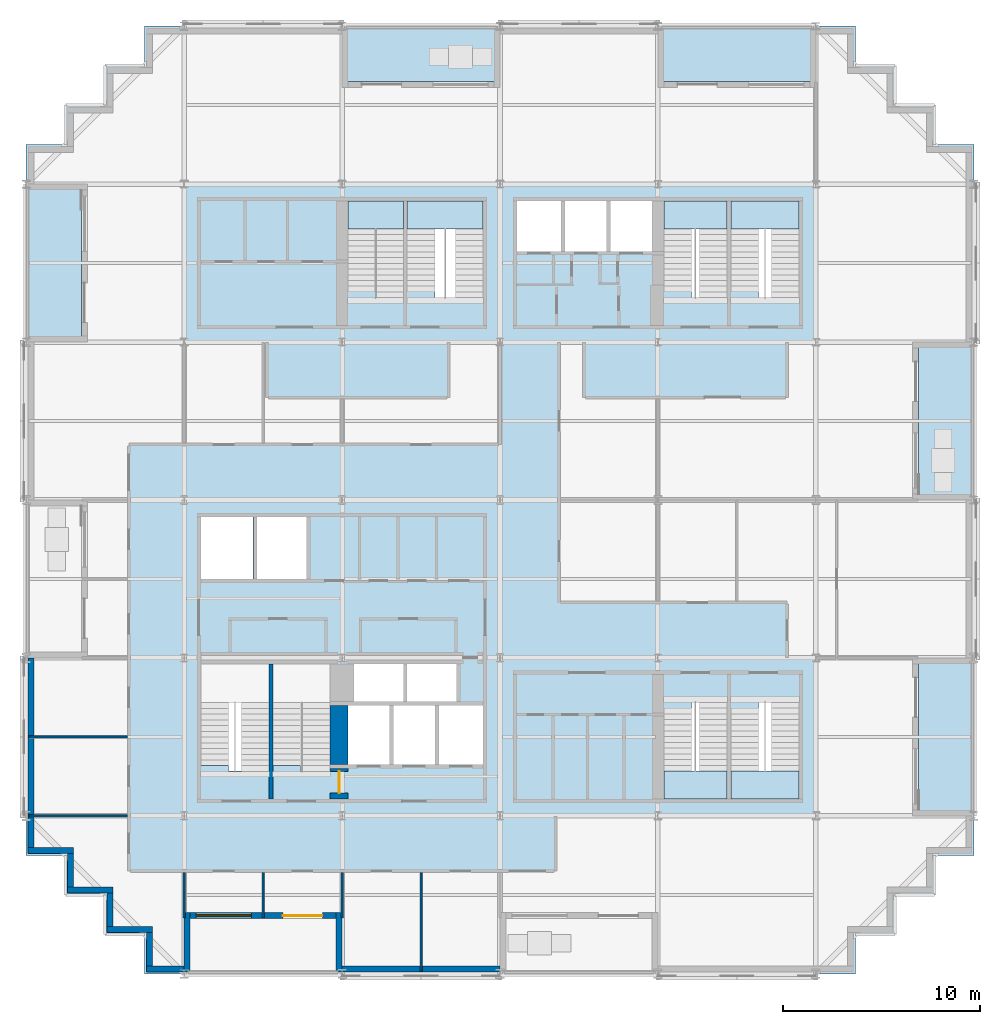
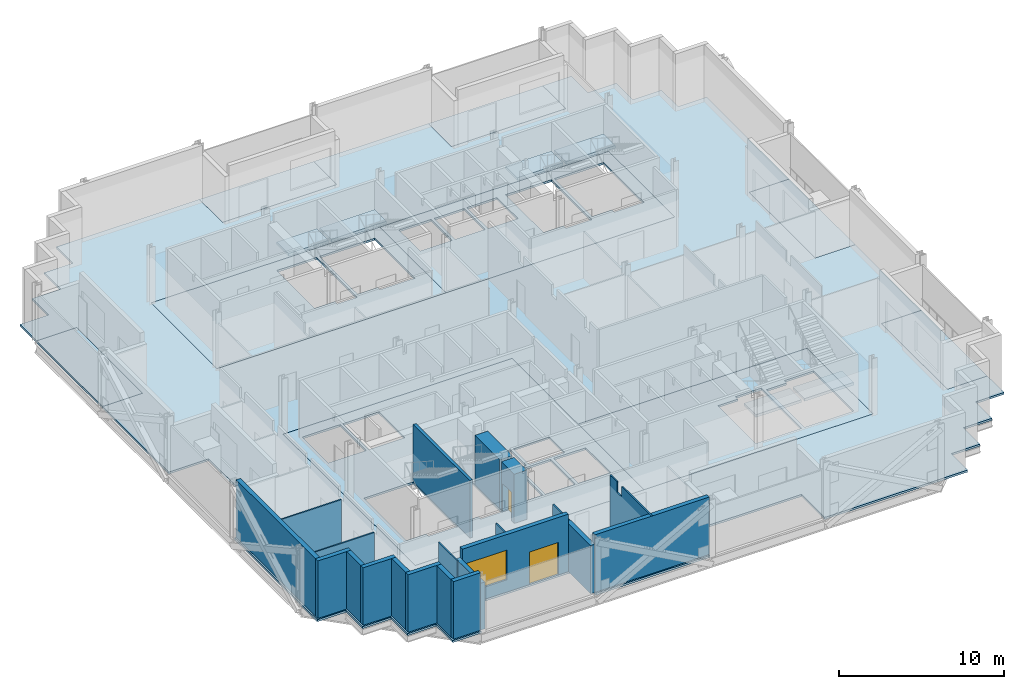
# One storey, part 5 of 15: 21 walls, 16 slabs, 2 doors, 1 window, 3 openings, 6 elements without a shape of their own.
"""IFC4 building model written with IfcOpenShell, lengths in metres."""

import ifcopenshell
import ifcopenshell.guid

model = None  # the IFC model being written
_history = None  # IfcOwnerHistory: only IFC2X3 demands one
_inside = {}  # id of a spatial element -> (the spatial element, [elements in it])
_under = {}  # id of a project, library or spatial element -> (it, [spatial elements below it])
_declared = {}  # id of a project -> (the project, [libraries it declares])
_typed = {}  # id of a type object -> (the type object, [elements of that type])
_made_of = {}  # id of a material, layer set ... -> (it, [elements and type objects made of it])


def new_model(schema):
    """Start an empty IFC model of exactly this schema.

    Asked for "IFC4X3", IfcOpenShell would pick the latest addendum, in which some entities
    have other attributes; the version numbers below select the first issue.
    IFC2X3 requires an IfcOwnerHistory on every rooted entity: one is made here for all.
    """
    global model, _history
    if schema == "IFC4X3":
        model = ifcopenshell.file(schema_version=(4, 3, 0, 0))
    else:
        model = ifcopenshell.file(schema=schema)
    _inside.clear()
    _under.clear()
    _declared.clear()
    _typed.clear()
    _made_of.clear()
    _history = None
    if model.schema == "IFC2X3":
        org = make("IfcOrganization", Name="unknown")
        user = make(
            "IfcPersonAndOrganization",
            ThePerson=make("IfcPerson", FamilyName="unknown"),
            TheOrganization=org,
        )
        app = make(
            "IfcApplication",
            ApplicationDeveloper=org,
            Version="unknown",
            ApplicationFullName="unknown",
            ApplicationIdentifier="unknown",
        )
        _history = make(
            "IfcOwnerHistory",
            OwningUser=user,
            OwningApplication=app,
            ChangeAction="ADDED",
            CreationDate=0,
        )
    return model


def make(cls, **values):
    """One entity of the class cls with the attributes given. An attribute that is None is left unset."""
    return model.create_entity(
        cls, **{name: value for name, value in values.items() if value is not None}
    )


def rooted(cls, **values):
    """An entity with a GlobalId (a new one), such as an element, a storey or a relation."""
    return make(cls, GlobalId=ifcopenshell.guid.new(), OwnerHistory=_history, **values)


def si_unit(unit_type, name, prefix=None):
    """IfcSIUnit, for example si_unit("LENGTHUNIT", "METRE", prefix="MILLI")."""
    return make("IfcSIUnit", UnitType=unit_type, Prefix=prefix, Name=name)


def assignment(units):
    """IfcUnitAssignment: the units of a project."""
    return None if units is None else make("IfcUnitAssignment", Units=units)


def point(xyz):
    """IfcCartesianPoint."""
    return None if xyz is None else make("IfcCartesianPoint", Coordinates=xyz)


def direction(xyz):
    """IfcDirection."""
    return None if xyz is None else make("IfcDirection", DirectionRatios=xyz)


def frame(location, z_axis=None, x_axis=None):
    """IfcAxis2Placement3D, a coordinate frame: its origin and axes. An axis left out is left unset."""
    return make(
        "IfcAxis2Placement3D",
        Location=point(location),
        Axis=direction(z_axis),
        RefDirection=direction(x_axis),
    )


def frame_2d(location, x_axis=None):
    """IfcAxis2Placement2D, a coordinate frame in the plane: its origin and x axis."""
    return make(
        "IfcAxis2Placement2D", Location=point(location), RefDirection=direction(x_axis)
    )


def origin():
    """The frame at (0, 0, 0) with its axes left unset."""
    return frame((0.0, 0.0, 0.0))


def place(relative_to, where):
    """IfcLocalPlacement: puts the frame where relative to a parent placement (None: the world)."""
    return make(
        "IfcLocalPlacement", PlacementRelTo=relative_to, RelativePlacement=where
    )


def context(
    kind, dimensions, precision=None, world=None, true_north=None, identifier=None
):
    """IfcGeometricRepresentationContext, for example the 3D "Model" context."""
    return make(
        "IfcGeometricRepresentationContext",
        ContextIdentifier=identifier,
        ContextType=kind,
        CoordinateSpaceDimension=dimensions,
        Precision=precision,
        WorldCoordinateSystem=world,
        TrueNorth=true_north,
    )


def subcontext(parent, identifier, kind, view, scale=None):
    """IfcGeometricRepresentationSubContext, for example "Body" below "Model"."""
    return make(
        "IfcGeometricRepresentationSubContext",
        ContextIdentifier=identifier,
        ContextType=kind,
        ParentContext=parent,
        TargetScale=scale,
        TargetView=view,
    )


def project(units=None, contexts=None):
    """IfcProject with its units and contexts."""
    return rooted(
        "IfcProject",
        Name="project",
        RepresentationContexts=contexts,
        UnitsInContext=assignment(units),
    )


def spatial(cls, under=None, at=None, **own):
    """A site, building, storey or space (cls), placed at a placement, below another one or the project."""
    s = rooted(cls, ObjectPlacement=at, **own)
    if under is not None:
        _under.setdefault(under.id(), (under, []))[1].append(s)
    return s


def polyline(points):
    """IfcPolyline through the points."""
    return make("IfcPolyline", Points=[point(p) for p in points])


def profile(cls, at=None, kind="AREA", **sizes):
    """A parametric profile (cls). Its sizes go by their IFC names, for example OverallWidth=200.0."""
    return make(cls, ProfileType=kind, Position=at, **sizes)


def rectangle(**sizes):
    """IfcRectangleProfileDef."""
    return profile("IfcRectangleProfileDef", **sizes)


def outline(outer, holes=None, kind="AREA"):
    """IfcArbitraryClosedProfileDef: a profile drawn as a closed curve; with holes, ...WithVoids."""
    if holes is None:
        return make("IfcArbitraryClosedProfileDef", ProfileType=kind, OuterCurve=outer)
    return make(
        "IfcArbitraryProfileDefWithVoids",
        ProfileType=kind,
        OuterCurve=outer,
        InnerCurves=holes,
    )


def extrude(swept, where, along, depth):
    """IfcExtrudedAreaSolid: the profile swept, set in the frame where, extruded along a direction by depth."""
    return make(
        "IfcExtrudedAreaSolid",
        SweptArea=swept,
        Position=where,
        ExtrudedDirection=direction(along),
        Depth=depth,
    )


def shape(context_of_items, identifier, shape_type, items):
    """IfcShapeRepresentation: the items that make up one representation, for example the "Body"."""
    return make(
        "IfcShapeRepresentation",
        ContextOfItems=context_of_items,
        RepresentationIdentifier=identifier,
        RepresentationType=shape_type,
        Items=items,
    )


def material(Name=None, Category=None):
    """IfcMaterial."""
    return make("IfcMaterial", Name=Name, Category=Category)


def layer(
    of_material, thickness, ventilated=None, Name=None, Category=None, Priority=None
):
    """IfcMaterialLayer: one layer of a wall or slab, of a material (None: an air gap)."""
    return make(
        "IfcMaterialLayer",
        Material=of_material,
        LayerThickness=thickness,
        IsVentilated=ventilated,
        Name=Name,
        Category=Category,
        Priority=Priority,
    )


def layer_set(layers, Name=None):
    """IfcMaterialLayerSet."""
    return make("IfcMaterialLayerSet", MaterialLayers=layers, LayerSetName=Name)


def made_of(thing, what):
    """Note that an element or type object is made of a material, layer set ...; save() writes the relation."""
    if what is not None:
        _made_of.setdefault(what.id(), (what, []))[1].append(thing)
    return thing


def type_object(cls, material=None, **own):
    """A type object (cls), such as IfcWallType, which elements share."""
    return made_of(rooted(cls, **own), material)


def element(
    cls,
    number,
    at=None,
    inside=None,
    cuts=None,
    type_object=None,
    material=None,
    context=None,
    identifier="Body",
    shape_type=None,
    held_by="IfcProductDefinitionShape",
    body=None,
    shapes=None,
    **own,
):
    """One element of the class cls, such as IfcWall. Its Tag is "e" and its number.

    at: its placement. inside: the storey or other place that contains it. cuts: it is an
    opening in that element (IfcRelVoidsElement). A single representation is given by context,
    identifier, shape_type and body (its items); several are given by shapes. held_by: the class
    of the entity that holds the representations. save() writes the other relations.
    """
    e = rooted(cls, Tag="e%d" % number, ObjectPlacement=at, **own)
    if body is not None:
        shapes = [shape(context, identifier, shape_type, body)]
    if shapes is not None:
        e.Representation = make(held_by, Representations=shapes)
    if inside is not None:
        _inside.setdefault(inside.id(), (inside, []))[1].append(e)
    if cuts is not None:
        rooted(
            "IfcRelVoidsElement", RelatingBuildingElement=cuts, RelatedOpeningElement=e
        )
    if type_object is not None:
        _typed.setdefault(type_object.id(), (type_object, []))[1].append(e)
    return made_of(e, material)


def fill(opening, filler):
    """IfcRelFillsElement: the door or window that sits in an opening."""
    return rooted(
        "IfcRelFillsElement",
        RelatingOpeningElement=opening,
        RelatedBuildingElement=filler,
    )


def aggregate(whole, parts):
    """IfcRelAggregates: a whole, such as a stair, and the parts it consists of."""
    return rooted("IfcRelAggregates", RelatingObject=whole, RelatedObjects=parts)


def save(model, path):
    """Write the relations noted so far, then the file.

    IfcRelAggregates (storeys below a building ...), IfcRelContainedInSpatialStructure (elements
    in a storey), IfcRelDefinesByType, IfcRelAssociatesMaterial and IfcRelDeclares: one each for
    every whole, place, type object, material and project.
    """
    for whole, parts in _under.values():
        aggregate(whole, parts)
    for where, things in _inside.values():
        rooted(
            "IfcRelContainedInSpatialStructure",
            RelatedElements=things,
            RelatingStructure=where,
        )
    for kind, things in _typed.values():
        rooted("IfcRelDefinesByType", RelatedObjects=things, RelatingType=kind)
    for what, things in _made_of.values():
        rooted("IfcRelAssociatesMaterial", RelatedObjects=things, RelatingMaterial=what)
    for by, libraries in _declared.values():
        rooted("IfcRelDeclares", RelatingContext=by, RelatedDefinitions=libraries)
    model.write(path)


model = new_model("IFC4")

# Units and contexts
model_context = context("Model", 3, precision=1e-05, world=origin(), true_north=direction((0.0, 1.0)))
body_context = subcontext(model_context, "Body", "Model", "MODEL_VIEW")
ifc_project = project(units=[si_unit("LENGTHUNIT", "METRE"), si_unit("AREAUNIT", "SQUARE_METRE"), si_unit("VOLUMEUNIT", "CUBIC_METRE"), si_unit("PLANEANGLEUNIT", "RADIAN"), si_unit("MASSUNIT", "GRAM", prefix="KILO")], contexts=[model_context])

# Site, building, storey
site_placement = place(None, origin())
site = spatial("IfcSite", under=ifc_project, at=site_placement, CompositionType="ELEMENT")
building_placement = place(site_placement, origin())
building = spatial("IfcBuilding", under=site, at=building_placement, Name="Immortelle Media Tower", CompositionType="ELEMENT")
storey_placement = place(building_placement, frame((0.0, 0.0, 83.199951171875)))
storey = spatial("IfcBuildingStorey", under=building, at=storey_placement, Name="L15", CompositionType="ELEMENT", Elevation=83.199951171875)

# Slabs
ifc_material_1 = material(Name="Concrete C50/60 composite deck", Category="concrete")
ifc_layer_1 = layer(ifc_material_1, 0.14990234375)
ifc_layer_set_1 = layer_set([ifc_layer_1], Name="Concrete C50/60 composite deck")
slab_type_1 = type_object("IfcSlabType", Name="Balcony slab 150", PredefinedType="FLOOR", material=ifc_layer_set_1)
slab_1_placement = place(storey_placement, frame((0.0, 0.0, -0.14990234375)))
element("IfcSlab", 1, at=slab_1_placement, inside=storey, type_object=slab_type_1, Name="Balcony slab L15 W0", PredefinedType="FLOOR", context=body_context, shape_type="SweptSolid", body=[
    extrude(outline(polyline([(2.800048828125, 32.0), (2.800048828125, 40.0), (0.0, 40.0), (0.0, 32.0), (2.800048828125, 32.0)])), origin(), (0.0, 0.0, 1.0), 0.14990234375),
])
slab_2_placement = place(storey_placement, frame((0.0, 0.0, -0.14990234375)))
element("IfcSlab", 2, at=slab_2_placement, inside=storey, type_object=slab_type_1, Name="Balcony slab L15 E0", PredefinedType="FLOOR", context=body_context, shape_type="SweptSolid", body=[
    extrude(outline(polyline([(48.0, 8.0), (48.0, 16.0), (45.199951171875, 16.0), (45.199951171875, 8.0), (48.0, 8.0)])), origin(), (0.0, 0.0, 1.0), 0.14990234375),
])
slab_3_placement = place(storey_placement, frame((0.0, 0.0, -0.14990234375)))
element("IfcSlab", 3, at=slab_3_placement, inside=storey, type_object=slab_type_1, Name="Balcony slab L15 E2", PredefinedType="FLOOR", context=body_context, shape_type="SweptSolid", body=[
    extrude(outline(polyline([(48.0, 24.0), (48.0, 32.0), (45.199951171875, 32.0), (45.199951171875, 24.0), (48.0, 24.0)])), origin(), (0.0, 0.0, 1.0), 0.14990234375),
])
slab_4_placement = place(storey_placement, frame((0.0, 0.0, -0.14990234375)))
element("IfcSlab", 4, at=slab_4_placement, inside=storey, type_object=slab_type_1, Name="Balcony slab L15 N0", PredefinedType="FLOOR", context=body_context, shape_type="SweptSolid", body=[
    extrude(outline(polyline([(40.0, 45.199951171875), (40.0, 48.0), (32.0, 48.0), (32.0, 45.199951171875), (40.0, 45.199951171875)])), origin(), (0.0, 0.0, 1.0), 0.14990234375),
])
slab_5_placement = place(storey_placement, frame((0.0, 0.0, -0.14990234375)))
element("IfcSlab", 5, at=slab_5_placement, inside=storey, type_object=slab_type_1, Name="Balcony slab L15 N2", PredefinedType="FLOOR", context=body_context, shape_type="SweptSolid", body=[
    extrude(outline(polyline([(24.0, 45.199951171875), (24.0, 48.0), (16.0, 48.0), (16.0, 45.199951171875), (24.0, 45.199951171875)])), origin(), (0.0, 0.0, 1.0), 0.14990234375),
])
ifc_material_2 = material(Name="Concrete C50/60", Category="concrete")
ifc_layer_2 = layer(ifc_material_2, 0.14990234375)
ifc_layer_set_2 = layer_set([ifc_layer_2], Name="Concrete C50/60")
slab_type_2 = type_object("IfcSlabType", Name="Composite floor slab 150", PredefinedType="FLOOR", material=ifc_layer_set_2)
slab_6_placement = place(storey_placement, frame((0.0, 0.0, -0.14990234375)))
element("IfcSlab", 6, at=slab_6_placement, inside=storey, type_object=slab_type_2, Name="Floor slab L15", PredefinedType="FLOOR", context=body_context, shape_type="SweptSolid", body=[
    extrude(outline(polyline([(6.0, 0.0), (6.0, 2.0), (4.0, 2.0), (4.0, 4.0), (2.0, 4.0), (2.0, 6.0), (0.0, 6.0), (0.0, 16.0), (2.800048828125, 16.0), (2.800048828125, 24.0), (0.0, 24.0), (0.0, 32.0), (2.800048828125, 32.0), (2.800048828125, 40.0), (0.0, 40.0), (0.0, 42.0), (2.0, 42.0), (2.0, 44.0), (4.0, 44.0), (4.0, 46.0), (6.0, 46.0), (6.0, 48.0), (16.0, 48.0), (16.0, 45.199951171875), (24.0, 45.199951171875), (24.0, 48.0), (32.0, 48.0), (32.0, 45.199951171875), (40.0, 45.199951171875), (40.0, 48.0), (42.0, 48.0), (42.0, 46.0), (44.0, 46.0), (44.0, 44.0), (46.0, 44.0), (46.0, 42.0), (48.0, 42.0), (48.0, 32.0), (45.199951171875, 32.0), (45.199951171875, 24.0), (48.0, 24.0), (48.0, 16.0), (45.199951171875, 16.0), (45.199951171875, 8.0), (48.0, 8.0), (48.0, 6.0), (46.0, 6.0), (46.0, 4.0), (44.0, 4.0), (44.0, 2.0), (42.0, 2.0), (42.0, 0.0), (32.0, 0.0), (32.0, 2.800048828125), (24.0, 2.800048828125), (24.0, 0.0), (16.0, 0.0), (16.0, 2.800048828125), (8.0, 2.800048828125), (8.0, 0.0), (6.0, 0.0)]), holes=[polyline([(24.0, 24.0), (8.0, 24.0), (8.0, 8.0), (24.0, 8.0), (40.0, 8.0), (40.0, 16.0), (24.0, 16.0), (24.0, 24.0)]), polyline([(24.0, 32.0), (40.0, 32.0), (40.0, 40.0), (24.0, 40.0), (8.0, 40.0), (8.0, 32.0), (24.0, 32.0)])]), origin(), (0.0, 0.0, 1.0), 0.14990234375),
])
ifc_layer_3 = layer(ifc_material_2, 0.14990234375)
ifc_layer_set_3 = layer_set([ifc_layer_3], Name="Concrete C50/60")
slab_type_3 = type_object("IfcSlabType", Name="Core floor slab 150", PredefinedType="FLOOR", material=ifc_layer_set_3)
slab_7_placement = place(storey_placement, frame((0.0, 0.0, -0.14990234375)))
element("IfcSlab", 7, at=slab_7_placement, inside=storey, type_object=slab_type_3, Name="Core floor SW", PredefinedType="FLOOR", context=body_context, shape_type="SweptSolid", body=[
    extrude(outline(polyline([(8.0, 8.0), (24.0, 8.0), (24.0, 24.0), (8.0, 24.0), (8.0, 8.0)]), holes=[polyline([(8.85009765625, 20.0), (11.5, 20.0), (11.5, 23.14990234375), (8.85009765625, 23.14990234375), (8.85009765625, 20.0)]), polyline([(11.699951171875, 20.0), (14.199951171875, 20.0), (14.199951171875, 23.14990234375), (11.699951171875, 23.14990234375), (11.699951171875, 20.0)]), polyline([(16.60009765625, 13.800048828125), (19.10009765625, 13.800048828125), (19.10009765625, 15.699951171875), (16.60009765625, 15.699951171875), (16.60009765625, 13.800048828125)]), polyline([(19.300048828125, 13.800048828125), (21.800048828125, 13.800048828125), (21.800048828125, 15.699951171875), (19.300048828125, 15.699951171875), (19.300048828125, 13.800048828125)]), polyline([(16.300048828125, 10.60009765625), (18.39990234375, 10.60009765625), (18.39990234375, 13.60009765625), (16.300048828125, 13.60009765625), (16.300048828125, 10.60009765625)]), polyline([(18.60009765625, 10.60009765625), (20.699951171875, 10.60009765625), (20.699951171875, 13.60009765625), (18.60009765625, 13.60009765625), (18.60009765625, 10.60009765625)]), polyline([(20.89990234375, 10.60009765625), (23.14990234375, 10.60009765625), (23.14990234375, 13.60009765625), (20.89990234375, 13.60009765625), (20.89990234375, 10.60009765625)]), polyline([(8.85009765625, 15.699951171875), (12.300048828125, 15.699951171875), (12.300048828125, 10.27001953125), (10.25, 10.27001953125), (10.25, 10.56005859375), (8.85009765625, 10.56005859375), (8.85009765625, 15.699951171875)]), polyline([(12.5, 15.699951171875), (15.39990234375, 15.699951171875), (15.39990234375, 10.27001953125), (13.89990234375, 10.27001953125), (13.89990234375, 10.56005859375), (12.5, 10.56005859375), (12.5, 15.699951171875)])]), origin(), (0.0, 0.0, 1.0), 0.14990234375),
])
slab_8_placement = place(storey_placement, frame((0.0, 0.0, -0.14990234375)))
element("IfcSlab", 8, at=slab_8_placement, inside=storey, type_object=slab_type_3, Name="Core floor SE", PredefinedType="FLOOR", context=body_context, shape_type="SweptSolid", body=[
    extrude(outline(polyline([(24.0, 8.0), (40.0, 8.0), (40.0, 16.0), (24.0, 16.0), (24.0, 8.0)]), holes=[polyline([(35.5, 13.72998046875), (35.5, 8.85009765625), (32.300048828125, 8.85009765625), (32.300048828125, 13.43994140625), (33.699951171875, 13.43994140625), (33.699951171875, 13.72998046875), (35.5, 13.72998046875)]), polyline([(39.14990234375, 13.72998046875), (39.14990234375, 8.85009765625), (35.699951171875, 8.85009765625), (35.699951171875, 13.43994140625), (37.10009765625, 13.43994140625), (37.10009765625, 13.72998046875), (39.14990234375, 13.72998046875)])]), origin(), (0.0, 0.0, 1.0), 0.14990234375),
])
slab_9_placement = place(storey_placement, frame((0.0, 0.0, -0.14990234375)))
element("IfcSlab", 9, at=slab_9_placement, inside=storey, type_object=slab_type_3, Name="Core floor NW", PredefinedType="FLOOR", context=body_context, shape_type="SweptSolid", body=[
    extrude(outline(polyline([(8.0, 32.0), (24.0, 32.0), (24.0, 40.0), (8.0, 40.0), (8.0, 32.0)]), holes=[polyline([(16.300048828125, 39.14990234375), (19.10009765625, 39.14990234375), (19.10009765625, 34.27001953125), (17.699951171875, 34.27001953125), (17.699951171875, 34.56005859375), (16.300048828125, 34.56005859375), (16.300048828125, 39.14990234375)]), polyline([(19.300048828125, 39.14990234375), (23.14990234375, 39.14990234375), (23.14990234375, 34.27001953125), (20.699951171875, 34.27001953125), (20.699951171875, 34.56005859375), (19.300048828125, 34.56005859375), (19.300048828125, 39.14990234375)])]), origin(), (0.0, 0.0, 1.0), 0.14990234375),
])
slab_10_placement = place(storey_placement, frame((0.0, 0.0, -0.14990234375)))
element("IfcSlab", 10, at=slab_10_placement, inside=storey, type_object=slab_type_3, Name="Core floor NE", PredefinedType="FLOOR", context=body_context, shape_type="SweptSolid", body=[
    extrude(outline(polyline([(24.0, 32.0), (40.0, 32.0), (40.0, 40.0), (24.0, 40.0), (24.0, 32.0)]), holes=[polyline([(24.85009765625, 36.60009765625), (27.10009765625, 36.60009765625), (27.10009765625, 39.14990234375), (24.85009765625, 39.14990234375), (24.85009765625, 36.60009765625)]), polyline([(27.300048828125, 36.60009765625), (29.39990234375, 36.60009765625), (29.39990234375, 39.14990234375), (27.300048828125, 39.14990234375), (27.300048828125, 36.60009765625)]), polyline([(29.60009765625, 36.60009765625), (31.699951171875, 36.60009765625), (31.699951171875, 39.14990234375), (29.60009765625, 39.14990234375), (29.60009765625, 36.60009765625)]), polyline([(32.300048828125, 39.14990234375), (35.5, 39.14990234375), (35.5, 34.27001953125), (33.699951171875, 34.27001953125), (33.699951171875, 34.56005859375), (32.300048828125, 34.56005859375), (32.300048828125, 39.14990234375)]), polyline([(35.699951171875, 39.14990234375), (39.14990234375, 39.14990234375), (39.14990234375, 34.27001953125), (37.10009765625, 34.27001953125), (37.10009765625, 34.56005859375), (35.699951171875, 34.56005859375), (35.699951171875, 39.14990234375)])]), origin(), (0.0, 0.0, 1.0), 0.14990234375),
])

# Stair, slab
ifc_material_3 = material(Name="Steel ASTM A992 Gr 50", Category="steel")
stair_type = type_object("IfcStairType", Name="Stair with flights", PredefinedType="DOUBLE_RETURN_STAIR", material=ifc_material_3)
stair_1_placement = place(storey_placement, origin())
stair_1 = element("IfcStair", 11, at=stair_1_placement, inside=storey, type_object=stair_type, Name="Exit stair SE1", PredefinedType="DOUBLE_RETURN_STAIR")
ifc_material_4 = material(Name="Steel ASTM A572 Gr 50", Category="steel")
ifc_layer_4 = layer(ifc_material_4, 0.199951171875)
ifc_layer_set_4 = layer_set([ifc_layer_4], Name="Steel ASTM A572 Gr 50")
slab_type_4 = type_object("IfcSlabType", Name="Stair landing 200", PredefinedType="LANDING", material=ifc_layer_set_4)
slab_11_placement = place(storey_placement, frame((0.0, 0.0, 1.912109375)))
slab_11 = element("IfcSlab", 12, at=slab_11_placement, type_object=slab_type_4, Name="ST SE1 landing 1", PredefinedType="LANDING", context=body_context, shape_type="SweptSolid", body=[
    extrude(outline(polyline([(32.300048828125, 8.85009765625), (35.5, 8.85009765625), (35.5, 10.27001953125), (32.300048828125, 10.27001953125), (32.300048828125, 8.85009765625)])), origin(), (0.0, 0.0, 1.0), 0.199951171875),
])
aggregate(stair_1, [slab_11])

stair_2_placement = place(storey_placement, origin())
stair_2 = element("IfcStair", 13, at=stair_2_placement, inside=storey, type_object=stair_type, Name="Exit stair SE2", PredefinedType="DOUBLE_RETURN_STAIR")
slab_12_placement = place(storey_placement, frame((0.0, 0.0, 1.912109375)))
slab_12 = element("IfcSlab", 14, at=slab_12_placement, type_object=slab_type_4, Name="ST SE2 landing 1", PredefinedType="LANDING", context=body_context, shape_type="SweptSolid", body=[
    extrude(outline(polyline([(35.699951171875, 8.85009765625), (39.14990234375, 8.85009765625), (39.14990234375, 10.27001953125), (35.699951171875, 10.27001953125), (35.699951171875, 8.85009765625)])), origin(), (0.0, 0.0, 1.0), 0.199951171875),
])
aggregate(stair_2, [slab_12])

stair_3_placement = place(storey_placement, origin())
stair_3 = element("IfcStair", 15, at=stair_3_placement, inside=storey, type_object=stair_type, Name="Exit stair NW1", PredefinedType="DOUBLE_RETURN_STAIR")
slab_13_placement = place(storey_placement, frame((0.0, 0.0, 1.912109375)))
slab_13 = element("IfcSlab", 16, at=slab_13_placement, type_object=slab_type_4, Name="ST NW1 landing 1", PredefinedType="LANDING", context=body_context, shape_type="SweptSolid", body=[
    extrude(outline(polyline([(16.300048828125, 37.72998046875), (19.10009765625, 37.72998046875), (19.10009765625, 39.14990234375), (16.300048828125, 39.14990234375), (16.300048828125, 37.72998046875)])), origin(), (0.0, 0.0, 1.0), 0.199951171875),
])
aggregate(stair_3, [slab_13])

stair_4_placement = place(storey_placement, origin())
stair_4 = element("IfcStair", 17, at=stair_4_placement, inside=storey, type_object=stair_type, Name="Exit stair NW2", PredefinedType="DOUBLE_RETURN_STAIR")
slab_14_placement = place(storey_placement, frame((0.0, 0.0, 1.912109375)))
slab_14 = element("IfcSlab", 18, at=slab_14_placement, type_object=slab_type_4, Name="ST NW2 landing 1", PredefinedType="LANDING", context=body_context, shape_type="SweptSolid", body=[
    extrude(outline(polyline([(19.300048828125, 37.72998046875), (23.14990234375, 37.72998046875), (23.14990234375, 39.14990234375), (19.300048828125, 39.14990234375), (19.300048828125, 37.72998046875)])), origin(), (0.0, 0.0, 1.0), 0.199951171875),
])
aggregate(stair_4, [slab_14])

stair_5_placement = place(storey_placement, origin())
stair_5 = element("IfcStair", 19, at=stair_5_placement, inside=storey, type_object=stair_type, Name="Exit stair NE1", PredefinedType="DOUBLE_RETURN_STAIR")
slab_15_placement = place(storey_placement, frame((0.0, 0.0, 1.912109375)))
slab_15 = element("IfcSlab", 20, at=slab_15_placement, type_object=slab_type_4, Name="ST NE1 landing 1", PredefinedType="LANDING", context=body_context, shape_type="SweptSolid", body=[
    extrude(outline(polyline([(32.300048828125, 37.72998046875), (35.5, 37.72998046875), (35.5, 39.14990234375), (32.300048828125, 39.14990234375), (32.300048828125, 37.72998046875)])), origin(), (0.0, 0.0, 1.0), 0.199951171875),
])
aggregate(stair_5, [slab_15])

stair_6_placement = place(storey_placement, origin())
stair_6 = element("IfcStair", 21, at=stair_6_placement, inside=storey, type_object=stair_type, Name="Exit stair NE2", PredefinedType="DOUBLE_RETURN_STAIR")
slab_16_placement = place(storey_placement, frame((0.0, 0.0, 1.912109375)))
slab_16 = element("IfcSlab", 22, at=slab_16_placement, type_object=slab_type_4, Name="ST NE2 landing 1", PredefinedType="LANDING", context=body_context, shape_type="SweptSolid", body=[
    extrude(outline(polyline([(35.699951171875, 37.72998046875), (39.14990234375, 37.72998046875), (39.14990234375, 39.14990234375), (35.699951171875, 39.14990234375), (35.699951171875, 37.72998046875)])), origin(), (0.0, 0.0, 1.0), 0.199951171875),
])
aggregate(stair_6, [slab_16])

# Walls
ifc_material_5 = material(Name="Pale aluminium cladding panel", Category="aluminium")
ifc_layer_5 = layer(ifc_material_5, 0.030029296875)
ifc_material_6 = material(Name="Steel ASTM A653 SS Gr 50 stud frame with mineral wool", Category="steel")
ifc_layer_6 = layer(ifc_material_6, 0.257568359375)
ifc_material_7 = material(Name="Moisture-resistant gypsum board", Category="gypsum")
ifc_layer_7 = layer(ifc_material_7, 0.012451171875)
ifc_layer_set_5 = layer_set([ifc_layer_5, ifc_layer_6, ifc_layer_7], Name="Steel ASTM A653 SS Gr 50 stud frame with mineral wool")
wall_type_1 = type_object("IfcWallType", Name="Facade wall 300", PredefinedType="SOLIDWALL", material=ifc_layer_set_5)
wall_1_placement = place(storey_placement, frame((0.25, 16.0, 0.0), z_axis=(0.0, 0.0, 1.0), x_axis=(0.0, -1.0, 0.0)))
element("IfcWall", 23, at=wall_1_placement, inside=storey, type_object=wall_type_1, Name="Facade wall L15 W0", PredefinedType="SOLIDWALL", context=body_context, shape_type="SweptSolid", body=[
    extrude(rectangle(XDim=9.60009765625, YDim=0.300048828125, at=frame_2d((4.800048828125, 0.0))), origin(), (0.0, 0.0, 1.0), 4.25),
])
wall_2_placement = place(storey_placement, frame((0.10009765625, 6.25, 0.0), z_axis=(0.0, 0.0, 1.0), x_axis=(1.0, 0.0, 0.0)))
element("IfcWall", 24, at=wall_2_placement, inside=storey, type_object=wall_type_1, Name="Facade wall L15 S1", PredefinedType="SOLIDWALL", context=body_context, shape_type="SweptSolid", body=[
    extrude(rectangle(XDim=2.2998046875, YDim=0.300048828125, at=frame_2d((1.14990234375, 0.0))), origin(), (0.0, 0.0, 1.0), 4.25),
])
wall_3_placement = place(storey_placement, frame((2.25, 6.10009765625, 0.0), z_axis=(0.0, 0.0, 1.0), x_axis=(0.0, -1.0, 0.0)))
element("IfcWall", 25, at=wall_3_placement, inside=storey, type_object=wall_type_1, Name="Facade wall L15 W2", PredefinedType="SOLIDWALL", context=body_context, shape_type="SweptSolid", body=[
    extrude(rectangle(XDim=1.7001953125, YDim=0.300048828125, at=frame_2d((0.85009765625, 0.0))), origin(), (0.0, 0.0, 1.0), 4.25),
])
wall_4_placement = place(storey_placement, frame((2.10009765625, 4.25, 0.0), z_axis=(0.0, 0.0, 1.0), x_axis=(1.0, 0.0, 0.0)))
element("IfcWall", 26, at=wall_4_placement, inside=storey, type_object=wall_type_1, Name="Facade wall L15 S3", PredefinedType="SOLIDWALL", context=body_context, shape_type="SweptSolid", body=[
    extrude(rectangle(XDim=2.2998046875, YDim=0.300048828125, at=frame_2d((1.14990234375, 0.0))), origin(), (0.0, 0.0, 1.0), 4.25),
])
wall_5_placement = place(storey_placement, frame((4.25, 4.10009765625, 0.0), z_axis=(0.0, 0.0, 1.0), x_axis=(0.0, -1.0, 0.0)))
element("IfcWall", 27, at=wall_5_placement, inside=storey, type_object=wall_type_1, Name="Facade wall L15 W4", PredefinedType="SOLIDWALL", context=body_context, shape_type="SweptSolid", body=[
    extrude(rectangle(XDim=1.7001953125, YDim=0.300048828125, at=frame_2d((0.85009765625, 0.0))), origin(), (0.0, 0.0, 1.0), 4.25),
])
wall_6_placement = place(storey_placement, frame((4.10009765625, 2.25, 0.0), z_axis=(0.0, 0.0, 1.0), x_axis=(1.0, 0.0, 0.0)))
element("IfcWall", 28, at=wall_6_placement, inside=storey, type_object=wall_type_1, Name="Facade wall L15 S5", PredefinedType="SOLIDWALL", context=body_context, shape_type="SweptSolid", body=[
    extrude(rectangle(XDim=2.2998046875, YDim=0.300048828125, at=frame_2d((1.14990234375, 0.0))), origin(), (0.0, 0.0, 1.0), 4.25),
])
wall_7_placement = place(storey_placement, frame((6.25, 2.10009765625, 0.0), z_axis=(0.0, 0.0, 1.0), x_axis=(0.0, -1.0, 0.0)))
element("IfcWall", 29, at=wall_7_placement, inside=storey, type_object=wall_type_1, Name="Facade wall L15 W6", PredefinedType="SOLIDWALL", context=body_context, shape_type="SweptSolid", body=[
    extrude(rectangle(XDim=1.7001953125, YDim=0.300048828125, at=frame_2d((0.85009765625, 0.0))), origin(), (0.0, 0.0, 1.0), 4.25),
])
wall_8_placement = place(storey_placement, frame((6.10009765625, 0.25, 0.0), z_axis=(0.0, 0.0, 1.0), x_axis=(1.0, 0.0, 0.0)))
element("IfcWall", 30, at=wall_8_placement, inside=storey, type_object=wall_type_1, Name="Facade wall L15 S7", PredefinedType="SOLIDWALL", context=body_context, shape_type="SweptSolid", body=[
    extrude(rectangle(XDim=1.89990234375, YDim=0.300048828125, at=frame_2d((0.949951171875, 0.0))), origin(), (0.0, 0.0, 1.0), 4.25),
])

# Wall, openings, door, window
wall_9_placement = place(storey_placement, frame((8.300048828125, 2.949951171875, 0.0), z_axis=(0.0, 0.0, 1.0), x_axis=(1.0, 0.0, 0.0)))
wall_9 = element("IfcWall", 31, at=wall_9_placement, inside=storey, type_object=wall_type_1, Name="Loggia wall L15 S7", PredefinedType="SOLIDWALL", context=body_context, shape_type="SweptSolid", body=[
    extrude(rectangle(XDim=7.39990234375, YDim=0.300048828125, at=frame_2d((3.699951171875, 0.0))), origin(), (0.0, 0.0, 1.0), 4.25),
])
opening_1_placement = place(wall_9_placement, frame((0.300048828125, 0.0, 0.89990234375)))
opening_1 = element("IfcOpeningElement", 32, at=opening_1_placement, cuts=wall_9, Name="Opening W1", PredefinedType="OPENING", context=body_context, shape_type="SweptSolid", body=[
    extrude(rectangle(XDim=2.800048828125, YDim=2.199951171875, at=frame_2d((1.39990234375, 1.10009765625))), frame((0.0, 0.159912109375, 0.0), z_axis=(0.0, -1.0, 0.0), x_axis=(1.0, 0.0, 0.0)), (0.0, 0.0, 1.0), 0.320068359375),
])
opening_2_placement = place(wall_9_placement, frame((4.699951171875, 0.0, 0.0)))
opening_2 = element("IfcOpeningElement", 33, at=opening_2_placement, cuts=wall_9, Name="Opening N4-E003", PredefinedType="OPENING", context=body_context, shape_type="SweptSolid", body=[
    extrude(rectangle(XDim=2.0, YDim=2.39990234375, at=frame_2d((1.0, 1.199951171875))), frame((0.0, 0.159912109375, 0.0), z_axis=(0.0, -1.0, 0.0), x_axis=(1.0, 0.0, 0.0)), (0.0, 0.0, 1.0), 0.320068359375),
])
ifc_material_8 = material(Name="Aluminium frame, glazed leaves", Category="aluminium")
door_type_1 = type_object("IfcDoorType", Name="Loggia door 2000 x 2400", OperationType="DOUBLE_DOOR_SINGLE_SWING", PredefinedType="DOOR", material=ifc_material_8)
door_1_placement = place(opening_2_placement, origin())
door_1 = element("IfcDoor", 34, at=door_1_placement, inside=storey, type_object=door_type_1, Name="Door N4-E003", OperationType="DOUBLE_DOOR_SINGLE_SWING", OverallHeight=2.39990234375, OverallWidth=2.0, PredefinedType="DOOR", context=body_context, shape_type="SweptSolid", body=[
    extrude(rectangle(XDim=2.0, YDim=2.39990234375, at=frame_2d((1.0, 1.199951171875))), frame((0.0, 0.02490234375, 0.0), z_axis=(0.0, -1.0, 0.0), x_axis=(1.0, 0.0, 0.0)), (0.0, 0.0, 1.0), 0.050048828125),
])
fill(opening_2, door_1)
ifc_material_9 = material(Name="Aluminium frame", Category="aluminium")
window_type = type_object("IfcWindowType", Name="Window 2800 x 2200", PartitioningType="SINGLE_PANEL", PredefinedType="WINDOW", material=ifc_material_9)
window_placement = place(opening_1_placement, origin())
window = element("IfcWindow", 35, at=window_placement, inside=storey, type_object=window_type, Name="Window L15 L15-R7-B0", OverallHeight=2.199951171875, OverallWidth=2.800048828125, PartitioningType="SINGLE_PANEL", PredefinedType="WINDOW", context=body_context, shape_type="SweptSolid", body=[
    extrude(rectangle(XDim=2.800048828125, YDim=2.199951171875, at=frame_2d((1.39990234375, 1.10009765625))), frame((0.0, 0.030029296875, 0.0), z_axis=(0.0, -1.0, 0.0), x_axis=(1.0, 0.0, 0.0)), (0.0, 0.0, 1.0), 0.06005859375),
])
fill(opening_1, window)

# Walls
wall_10_placement = place(storey_placement, frame((8.14990234375, 0.10009765625, 0.0), z_axis=(0.0, 0.0, 1.0), x_axis=(0.0, 1.0, 0.0)))
element("IfcWall", 36, at=wall_10_placement, inside=storey, type_object=wall_type_1, Name="Loggia cheek wall L15 S", PredefinedType="SOLIDWALL", context=body_context, shape_type="SweptSolid", body=[
    extrude(rectangle(XDim=3.0, YDim=0.300048828125, at=frame_2d((1.5, 0.0))), origin(), (0.0, 0.0, 1.0), 3.468994140625),
])
wall_11_placement = place(storey_placement, frame((15.85009765625, 0.10009765625, 0.0), z_axis=(0.0, 0.0, 1.0), x_axis=(0.0, 1.0, 0.0)))
element("IfcWall", 37, at=wall_11_placement, inside=storey, type_object=wall_type_1, Name="Loggia cheek wall L15 S", PredefinedType="SOLIDWALL", context=body_context, shape_type="SweptSolid", body=[
    extrude(rectangle(XDim=3.0, YDim=0.300048828125, at=frame_2d((1.5, 0.0))), origin(), (0.0, 0.0, 1.0), 3.55615234375),
])
wall_12_placement = place(storey_placement, frame((16.0, 0.25, 0.0), z_axis=(0.0, 0.0, 1.0), x_axis=(1.0, 0.0, 0.0)))
element("IfcWall", 38, at=wall_12_placement, inside=storey, type_object=wall_type_1, Name="Facade wall L15 S7", PredefinedType="SOLIDWALL", context=body_context, shape_type="SweptSolid", body=[
    extrude(rectangle(XDim=8.0, YDim=0.300048828125, at=frame_2d((4.0, 0.0))), origin(), (0.0, 0.0, 1.0), 4.25),
])
ifc_material_10 = material(Name="Gypsum board", Category="gypsum")
ifc_layer_8 = layer(ifc_material_10, 0.012451171875)
ifc_layer_9 = layer(ifc_material_6, 0.074951171875)
ifc_layer_10 = layer(ifc_material_10, 0.012451171875)
ifc_layer_set_6 = layer_set([ifc_layer_8, ifc_layer_9, ifc_layer_10], Name="Steel ASTM A653 SS Gr 50 stud frame with mineral wool")
wall_type_2 = type_object("IfcWallType", Name="Partition 100", PredefinedType="PARTITIONING", material=ifc_layer_set_6)
wall_13_placement = place(storey_placement, frame((20.0, 0.1298828125, 0.0), z_axis=(0.0, 0.0, 1.0), x_axis=(0.0, 1.0, 0.0)))
element("IfcWall", 39, at=wall_13_placement, inside=storey, type_object=wall_type_2, Name="Partition L15-001", PredefinedType="PARTITIONING", context=body_context, shape_type="SweptSolid", body=[
    extrude(outline(polyline([(0.0, 0.0), (4.9951171875, 0.0), (4.9951171875, 4.25), (4.169921875, 4.25), (4.16796875, 3.469970703125), (3.572021484375, 3.469970703125), (3.570068359375, 4.25), (0.0, 4.25), (0.0, 0.0)])), frame((0.0, 0.050048828125, 0.0), z_axis=(0.0, -1.0, 0.0), x_axis=(1.0, 0.0, 0.0)), (0.0, 0.0, 1.0), 0.10009765625),
])
for number, where, z_axis, x_axis, name in (
    (40, (8.0, 2.830078125, 0.0), (0.0, 0.0, 1.0), (0.0, 1.0, 0.0), "Partition L15-002"),
    (41, (12.0, 2.830078125, 0.0), (0.0, 0.0, 1.0), (0.0, 1.0, 0.0), "Partition L15-003"),
    (42, (16.0, 2.830078125, 0.0), (0.0, 0.0, 1.0), (0.0, 1.0, 0.0), "Partition L15-004"),
):
    element("IfcWall", number, at=place(storey_placement, frame(where, z_axis=z_axis, x_axis=x_axis)), inside=storey, type_object=wall_type_2, Name=name, PredefinedType="PARTITIONING", context=body_context, shape_type="SweptSolid", body=[
        extrude(rectangle(XDim=2.294921875, YDim=0.10009765625, at=frame_2d((1.1474609375, 0.0))), origin(), (0.0, 0.0, 1.0), 3.469970703125),
    ])
for number, where, z_axis, x_axis, name in (
    (43, (0.1298828125, 8.0, 0.0), (0.0, 0.0, 1.0), (1.0, 0.0, 0.0), "Partition L15-009"),
    (44, (0.1298828125, 12.0, 0.0), (0.0, 0.0, 1.0), (1.0, 0.0, 0.0), "Partition L15-010"),
):
    element("IfcWall", number, at=place(storey_placement, frame(where, z_axis=z_axis, x_axis=x_axis)), inside=storey, type_object=wall_type_2, Name=name, PredefinedType="PARTITIONING", context=body_context, shape_type="SweptSolid", body=[
        extrude(rectangle(XDim=4.9951171875, YDim=0.10009765625, at=frame_2d((2.49755859375, 0.0))), origin(), (0.0, 0.0, 1.0), 3.469970703125),
    ])
ifc_material_11 = material(Name="Concrete C60", Category="concrete")
ifc_layer_11 = layer(ifc_material_11, 0.199951171875)
ifc_layer_set_7 = layer_set([ifc_layer_11], Name="Concrete C60")
wall_type_3 = type_object("IfcWallType", Name="Stair shaft wall 200", PredefinedType="PARTITIONING", material=ifc_layer_set_7)
wall_14_placement = place(storey_placement, frame((12.39990234375, 8.85009765625, 0.0), z_axis=(0.0, 0.0, 1.0), x_axis=(0.0, 1.0, 0.0)))
element("IfcWall", 45, at=wall_14_placement, inside=storey, type_object=wall_type_3, Name="Stair shaft wall SW", PredefinedType="PARTITIONING", context=body_context, shape_type="SweptSolid", body=[
    extrude(rectangle(XDim=6.849853515625, YDim=0.199951171875, at=frame_2d((3.4248046875, 0.0))), origin(), (0.0, 0.0, 1.0), 4.25),
])

# Wall, opening, door
ifc_layer_12 = layer(ifc_material_11, 0.89990234375)
ifc_layer_set_8 = layer_set([ifc_layer_12], Name="Concrete C60")
wall_type_4 = type_object("IfcWallType", Name="Stair shaft wall 900", PredefinedType="PARTITIONING", material=ifc_layer_set_8)
wall_15_placement = place(storey_placement, frame((15.85009765625, 8.85009765625, 0.0), z_axis=(0.0, 0.0, 1.0), x_axis=(0.0, 1.0, 0.0)))
wall_15 = element("IfcWall", 46, at=wall_15_placement, inside=storey, type_object=wall_type_4, Name="Stair shaft wall SW", PredefinedType="PARTITIONING", context=body_context, shape_type="SweptSolid", body=[
    extrude(rectangle(XDim=1.5498046875, YDim=0.89990234375, at=frame_2d((0.77490234375, 0.0))), origin(), (0.0, 0.0, 1.0), 3.632080078125),
])
opening_3_placement = place(wall_15_placement, frame((0.300048828125, 0.0, 0.0)))
opening_3 = element("IfcOpeningElement", 47, at=opening_3_placement, cuts=wall_15, Name="Opening N4-K005", PredefinedType="OPENING", context=body_context, shape_type="SweptSolid", body=[
    extrude(rectangle(XDim=1.10009765625, YDim=2.10009765625, at=frame_2d((0.550048828125, 1.050048828125))), frame((0.0, 0.4599609375, 0.0), z_axis=(0.0, -1.0, 0.0), x_axis=(1.0, 0.0, 0.0)), (0.0, 0.0, 1.0), 0.919921875),
])
ifc_material_12 = material(Name="Galvanised steel door leaf and frame ASTM A653", Category="steel")
door_type_2 = type_object("IfcDoorType", Name="Stair lobby door 1100 x 2100", OperationType="NOTDEFINED", PredefinedType="NOTDEFINED", material=ifc_material_12)
door_2_placement = place(opening_3_placement, origin())
door_2 = element("IfcDoor", 48, at=door_2_placement, inside=storey, type_object=door_type_2, Name="Stair lobby N4-K005", OperationType="SINGLE_SWING_LEFT", OverallHeight=2.10009765625, OverallWidth=1.10009765625, PredefinedType="NOTDEFINED", context=body_context, shape_type="SweptSolid", body=[
    extrude(rectangle(XDim=1.10009765625, YDim=2.10009765625, at=frame_2d((0.550048828125, 1.050048828125))), frame((0.0, 0.02490234375, 0.0), z_axis=(0.0, -1.0, 0.0), x_axis=(1.0, 0.0, 0.0)), (0.0, 0.0, 1.0), 0.050048828125),
])
fill(opening_3, door_2)

# Wall
wall_16_placement = place(storey_placement, frame((15.85009765625, 10.60009765625, 0.0), z_axis=(0.0, 0.0, 1.0), x_axis=(0.0, 1.0, 0.0)))
element("IfcWall", 49, at=wall_16_placement, inside=storey, type_object=wall_type_4, Name="Stair shaft wall SW", PredefinedType="PARTITIONING", context=body_context, shape_type="SweptSolid", body=[
    extrude(rectangle(XDim=3.0, YDim=0.89990234375, at=frame_2d((1.5, 0.0))), origin(), (0.0, 0.0, 1.0), 3.632080078125),
])

save(model, "model.ifc")
